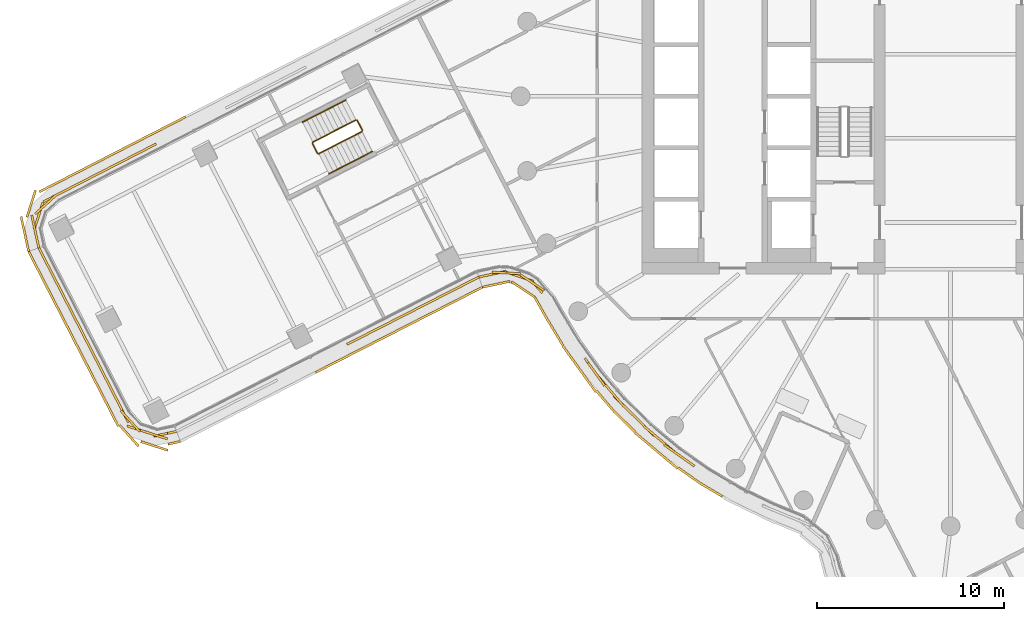
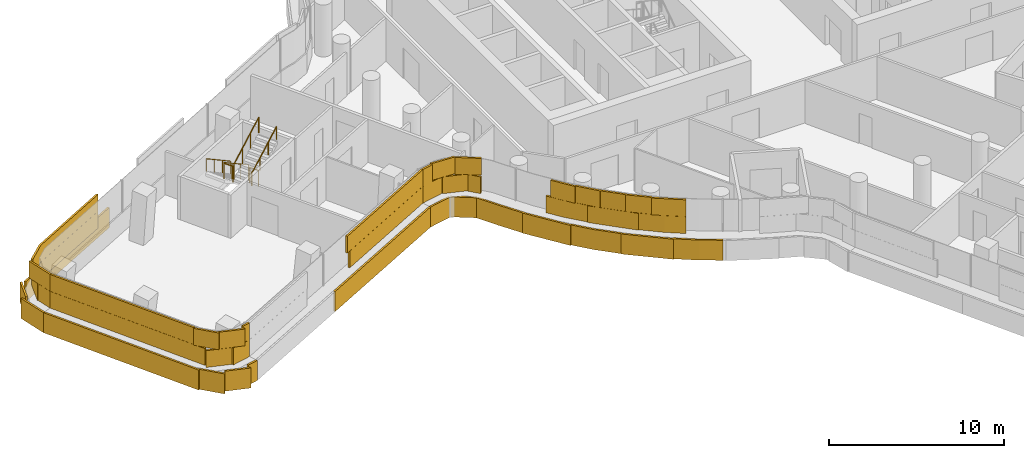
# One storey, part 30 of 37: 6 railings, 4 coverings.
"""IFC4 building model written with IfcOpenShell, lengths in metres."""

from ifc_helpers import new_model, si_unit, direction, frame, origin, origin_2d, place, context, subcontext, project, spatial, rectangle, circle, extrude, material, layer, layer_set, type_object, element, save


model = new_model("IFC4")

# Units and contexts
model_context = context("Model", 3, precision=1e-05, world=origin(), true_north=direction((0.0, 1.0)))
body_context = subcontext(model_context, "Body", "Model", "MODEL_VIEW")
ifc_project = project(units=[si_unit("LENGTHUNIT", "METRE"), si_unit("AREAUNIT", "SQUARE_METRE"), si_unit("VOLUMEUNIT", "CUBIC_METRE"), si_unit("PLANEANGLEUNIT", "RADIAN"), si_unit("MASSUNIT", "GRAM", prefix="KILO")], contexts=[model_context])

# Site, building, storey
site_placement = place(None, origin())
site = spatial("IfcSite", under=ifc_project, at=site_placement, CompositionType="ELEMENT")
building_placement = place(site_placement, origin())
building = spatial("IfcBuilding", under=site, at=building_placement, Name="Tamarind Cross Interchange Tower", CompositionType="ELEMENT")
storey_placement = place(building_placement, frame((0.0, 0.0, 133.0)))
storey = spatial("IfcBuildingStorey", under=building, at=storey_placement, Name="L32", CompositionType="ELEMENT", Elevation=133.0)

# Railings
ifc_material_1 = material(Name="Stair guard")
railing_type_1 = type_object("IfcRailingType", Name="Stair guard", PredefinedType="GUARDRAIL", material=ifc_material_1)
railing_1_placement = place(storey_placement, frame((-31.8037109375, -1.265380859375, 0.17041015625)))
element("IfcRailing", 1, at=railing_1_placement, inside=storey, type_object=railing_type_1, Name="L32 ST5 stair guard 1", PredefinedType="GUARDRAIL", context=body_context, shape_type="SweptSolid", body=[
    extrude(circle(Radius=0.02392578125, at=origin_2d()), frame((0.0, 0.0, 1.076171875), z_axis=(-0.744052093423, -0.381802773427, 0.548281975333), x_axis=(0.456541582309, -0.889702075766, 0.0)), (0.0, 0.0, 1.0), 3.10888671875),
    extrude(circle(Radius=0.02099609375, at=origin_2d()), origin(), (0.0, 0.0, 1.0), 1.052001953125),
    extrude(circle(Radius=0.02099609375, at=origin_2d()), frame((-0.77099609375, -0.395751953125, 0.568115234375)), (0.0, 0.0, 1.0), 1.052001953125),
    extrude(circle(Radius=0.02099609375, at=origin_2d()), frame((-1.542236328125, -0.791259765625, 1.136474609375)), (0.0, 0.0, 1.0), 1.052001953125),
    extrude(circle(Radius=0.02099609375, at=origin_2d()), frame((-2.313232421875, -1.18701171875, 1.70458984375)), (0.0, 0.0, 1.0), 1.052001953125),
])
railing_2_placement = place(storey_placement, frame((-34.138427734375, -2.519775390625, 1.875)))
element("IfcRailing", 2, at=railing_2_placement, inside=storey, type_object=railing_type_1, Name="L32 ST5 stair guard 2", PredefinedType="GUARDRAIL", context=body_context, shape_type="SweptSolid", body=[
    extrude(circle(Radius=0.02392578125, at=origin_2d()), frame((0.0, 0.0, 1.076171875), z_axis=(0.456465311682, -0.889741209134, 0.0), x_axis=(0.889741209134, 0.456465311682, 0.0)), (0.0, 0.0, 1.0), 0.60009765625),
    extrude(circle(Radius=0.02099609375, at=origin_2d()), origin(), (0.0, 0.0, 1.0), 1.052001953125),
    extrude(circle(Radius=0.02099609375, at=origin_2d()), frame((0.27392578125, -0.533935546875, 0.0)), (0.0, 0.0, 1.0), 1.052001953125),
])
railing_3_placement = place(storey_placement, frame((-33.79736328125, -3.0751953125, 2.04541015625)))
element("IfcRailing", 3, at=railing_3_placement, inside=storey, type_object=railing_type_1, Name="L32 ST5 stair guard 3", PredefinedType="GUARDRAIL", context=body_context, shape_type="SweptSolid", body=[
    extrude(circle(Radius=0.02392578125, at=origin_2d()), frame((0.0, 0.0, 1.076171875), z_axis=(0.744052093423, 0.381802773427, 0.548281975333), x_axis=(-0.456541582309, 0.889702075766, 0.0)), (0.0, 0.0, 1.0), 3.10888671875),
    extrude(circle(Radius=0.02099609375, at=origin_2d()), origin(), (0.0, 0.0, 1.0), 1.052001953125),
    extrude(circle(Radius=0.02099609375, at=origin_2d()), frame((0.77099609375, 0.395751953125, 0.568115234375)), (0.0, 0.0, 1.0), 1.052001953125),
    extrude(circle(Radius=0.02099609375, at=origin_2d()), frame((1.542236328125, 0.791259765625, 1.136474609375)), (0.0, 0.0, 1.0), 1.052001953125),
    extrude(circle(Radius=0.02099609375, at=origin_2d()), frame((2.313232421875, 1.18701171875, 1.70458984375)), (0.0, 0.0, 1.0), 1.052001953125),
])
railing_4_placement = place(storey_placement, frame((-31.736328125, -1.287109375, 0.0)))
element("IfcRailing", 4, at=railing_4_placement, inside=storey, type_object=railing_type_1, Name="L32 ST5 stair guard 4", PredefinedType="GUARDRAIL", context=body_context, shape_type="SweptSolid", body=[
    extrude(circle(Radius=0.02392578125, at=origin_2d()), frame((0.0, 0.0, 1.076171875), z_axis=(0.456630592684, -0.889656395371, 0.0), x_axis=(0.889656395371, 0.456630592684, 0.0)), (0.0, 0.0, 1.0), 0.599853515625),
    extrude(circle(Radius=0.02099609375, at=origin_2d()), origin(), (0.0, 0.0, 1.0), 1.052001953125),
    extrude(circle(Radius=0.02099609375, at=origin_2d()), frame((0.27392578125, -0.53369140625, 0.0)), (0.0, 0.0, 1.0), 1.052001953125),
])
ifc_material_2 = material(Name="Stair handrail")
railing_type_2 = type_object("IfcRailingType", Name="Stair handrail", PredefinedType="HANDRAIL", material=ifc_material_2)
railing_5_placement = place(storey_placement, frame((-32.3515625, -0.19775390625, 0.17041015625)))
element("IfcRailing", 5, at=railing_5_placement, inside=storey, type_object=railing_type_2, Name="L32 ST5 stair handrail 1", PredefinedType="HANDRAIL", context=body_context, shape_type="SweptSolid", body=[
    extrude(circle(Radius=0.02392578125, at=origin_2d()), frame((0.0, 0.0, 0.8759765625), z_axis=(-0.744052093423, -0.381802773427, 0.548281975333), x_axis=(0.456541582309, -0.889702075766, 0.0)), (0.0, 0.0, 1.0), 3.10888671875),
    extrude(circle(Radius=0.02099609375, at=origin_2d()), origin(), (0.0, 0.0, 1.0), 0.851806640625),
    extrude(circle(Radius=0.02099609375, at=origin_2d()), frame((-0.77099609375, -0.395751953125, 0.568115234375)), (0.0, 0.0, 1.0), 0.851806640625),
    extrude(circle(Radius=0.02099609375, at=origin_2d()), frame((-1.542236328125, -0.791259765625, 1.136474609375)), (0.0, 0.0, 1.0), 0.851806640625),
    extrude(circle(Radius=0.02099609375, at=origin_2d()), frame((-2.313232421875, -1.18701171875, 1.70458984375)), (0.0, 0.0, 1.0), 0.851806640625),
])
railing_6_placement = place(storey_placement, frame((-33.24951171875, -4.142822265625, 2.04541015625)))
element("IfcRailing", 6, at=railing_6_placement, inside=storey, type_object=railing_type_2, Name="L32 ST5 stair handrail 2", PredefinedType="HANDRAIL", context=body_context, shape_type="SweptSolid", body=[
    extrude(circle(Radius=0.02392578125, at=origin_2d()), frame((0.0, 0.0, 0.8759765625), z_axis=(0.744052093423, 0.381802773427, 0.548281975333), x_axis=(-0.456541582309, 0.889702075766, 0.0)), (0.0, 0.0, 1.0), 3.10888671875),
    extrude(circle(Radius=0.02099609375, at=origin_2d()), origin(), (0.0, 0.0, 1.0), 0.851806640625),
    extrude(circle(Radius=0.02099609375, at=origin_2d()), frame((0.77099609375, 0.395751953125, 0.568115234375)), (0.0, 0.0, 1.0), 0.851806640625),
    extrude(circle(Radius=0.02099609375, at=origin_2d()), frame((1.542236328125, 0.791259765625, 1.136474609375)), (0.0, 0.0, 1.0), 0.851806640625),
    extrude(circle(Radius=0.02099609375, at=origin_2d()), frame((2.313232421875, 1.18701171875, 1.70458984375)), (0.0, 0.0, 1.0), 0.851806640625),
])

# Coverings
ifc_material_3 = material(Name="Terracotta", Category="masonry")
ifc_layer = layer(ifc_material_3, 0.1201171875)
ifc_layer_set = layer_set([ifc_layer], Name="Terracotta")
covering_type = type_object("IfcCoveringType", Name="Terracotta baguette screen unit", PredefinedType="MOLDING", material=ifc_layer_set)
covering_1_placement = place(storey_placement, origin())
element("IfcCovering", 7, at=covering_1_placement, inside=storey, type_object=covering_type, Name="SCR-L32-00-00", PredefinedType="MOLDING", context=body_context, shape_type="SweptSolid", body=[
    extrude(rectangle(XDim=1.510009765625, YDim=0.1201171875, at=origin_2d()), frame((-48.431884765625, -8.7734375, 1.404052734375), z_axis=(0.0, 0.0, 1.0), x_axis=(0.456551422638, -0.889697026233, 0.0)), (0.0, 0.0, 1.0), 1.1669921875),
    extrude(rectangle(XDim=1.52001953125, YDim=0.1201171875, at=origin_2d()), frame((-47.7470703125, -10.10791015625, 1.404052734375), z_axis=(0.0, 0.0, 1.0), x_axis=(0.456551422638, -0.889697026233, 0.0)), (0.0, 0.0, 1.0), 1.1669921875),
    extrude(rectangle(XDim=1.52001953125, YDim=0.1201171875, at=origin_2d()), frame((-47.062255859375, -11.442626953125, 1.404052734375), z_axis=(0.0, 0.0, 1.0), x_axis=(0.456551422638, -0.889697026233, 0.0)), (0.0, 0.0, 1.0), 1.1669921875),
    extrude(rectangle(XDim=1.52001953125, YDim=0.1201171875, at=origin_2d()), frame((-46.37744140625, -12.777099609375, 1.404052734375), z_axis=(0.0, 0.0, 1.0), x_axis=(0.456551422638, -0.889697026233, 0.0)), (0.0, 0.0, 1.0), 1.1669921875),
    extrude(rectangle(XDim=1.52001953125, YDim=0.1201171875, at=origin_2d()), frame((-45.692626953125, -14.111572265625, 1.404052734375), z_axis=(0.0, 0.0, 1.0), x_axis=(0.456551422638, -0.889697026233, 0.0)), (0.0, 0.0, 1.0), 1.1669921875),
    extrude(rectangle(XDim=1.52001953125, YDim=0.1201171875, at=origin_2d()), frame((-45.0078125, -15.446044921875, 1.404052734375), z_axis=(0.0, 0.0, 1.0), x_axis=(0.456551422638, -0.889697026233, 0.0)), (0.0, 0.0, 1.0), 1.1669921875),
    extrude(rectangle(XDim=1.52001953125, YDim=0.1201171875, at=origin_2d()), frame((-44.322998046875, -16.78076171875, 1.404052734375), z_axis=(0.0, 0.0, 1.0), x_axis=(0.456551422638, -0.889697026233, 0.0)), (0.0, 0.0, 1.0), 1.1669921875),
    extrude(rectangle(XDim=1.52001953125, YDim=0.1201171875, at=origin_2d()), frame((-43.331298828125, -17.86572265625, 1.404052734375), z_axis=(0.0, 0.0, 1.0), x_axis=(0.951941407358, -0.306280193543, 0.0)), (0.0, 0.0, 1.0), 1.1669921875),
    extrude(rectangle(XDim=1.259521484375, YDim=0.1201171875, at=origin_2d()), frame((-42.01123046875, -18.05615234375, 1.404052734375), z_axis=(0.0, 0.0, 1.0), x_axis=(0.977545538458, 0.210724275394, 0.0)), (0.0, 0.0, 1.0), 1.1669921875),
    extrude(rectangle(XDim=0.760009765625, YDim=0.1201171875, at=origin_2d()), frame((-48.603271484375, -8.439697265625, 2.5791015625), z_axis=(0.0, 0.0, 1.0), x_axis=(0.456551422638, -0.889697026233, 0.0)), (0.0, 0.0, 1.0), 1.1669921875),
    extrude(rectangle(XDim=1.52001953125, YDim=0.1201171875, at=origin_2d()), frame((-48.089599609375, -9.440673828125, 2.5791015625), z_axis=(0.0, 0.0, 1.0), x_axis=(0.456551422638, -0.889697026233, 0.0)), (0.0, 0.0, 1.0), 1.1669921875),
    extrude(rectangle(XDim=1.52001953125, YDim=0.1201171875, at=origin_2d()), frame((-47.40478515625, -10.775146484375, 2.5791015625), z_axis=(0.0, 0.0, 1.0), x_axis=(0.456551422638, -0.889697026233, 0.0)), (0.0, 0.0, 1.0), 1.1669921875),
    extrude(rectangle(XDim=1.52001953125, YDim=0.1201171875, at=origin_2d()), frame((-46.719970703125, -12.10986328125, 2.5791015625), z_axis=(0.0, 0.0, 1.0), x_axis=(0.456551422638, -0.889697026233, 0.0)), (0.0, 0.0, 1.0), 1.1669921875),
    extrude(rectangle(XDim=1.52001953125, YDim=0.1201171875, at=origin_2d()), frame((-46.03515625, -13.4443359375, 2.5791015625), z_axis=(0.0, 0.0, 1.0), x_axis=(0.456551422638, -0.889697026233, 0.0)), (0.0, 0.0, 1.0), 1.1669921875),
    extrude(rectangle(XDim=1.52001953125, YDim=0.1201171875, at=origin_2d()), frame((-45.350341796875, -14.77880859375, 2.5791015625), z_axis=(0.0, 0.0, 1.0), x_axis=(0.456551422638, -0.889697026233, 0.0)), (0.0, 0.0, 1.0), 1.1669921875),
    extrude(rectangle(XDim=1.52001953125, YDim=0.1201171875, at=origin_2d()), frame((-44.66552734375, -16.113525390625, 2.5791015625), z_axis=(0.0, 0.0, 1.0), x_axis=(0.456551422638, -0.889697026233, 0.0)), (0.0, 0.0, 1.0), 1.1669921875),
    extrude(rectangle(XDim=1.52001953125, YDim=0.1201171875, at=origin_2d()), frame((-43.87841796875, -17.377197265625, 2.5791015625), z_axis=(0.0, 0.0, 1.0), x_axis=(0.671265344915, -0.741217131964, 0.0)), (0.0, 0.0, 1.0), 1.1669921875),
    extrude(rectangle(XDim=1.52001953125, YDim=0.1201171875, at=origin_2d()), frame((-42.617431640625, -18.095458984375, 2.5791015625), z_axis=(0.0, 0.0, 1.0), x_axis=(0.951941407358, -0.306280193543, 0.0)), (0.0, 0.0, 1.0), 1.1669921875),
    extrude(rectangle(XDim=0.509521484375, YDim=0.1201171875, at=origin_2d()), frame((-41.64453125, -17.97705078125, 2.5791015625), z_axis=(0.0, 0.0, 1.0), x_axis=(0.977545538458, 0.210724275394, 0.0)), (0.0, 0.0, 1.0), 1.1669921875),
    extrude(rectangle(XDim=1.510009765625, YDim=0.1201171875, at=origin_2d()), frame((-48.974853515625, -8.97265625, 0.00390625), z_axis=(0.0, 0.0, 1.0), x_axis=(0.456551422638, -0.889697026233, 0.0)), (0.0, 0.0, 1.0), 1.39208984375),
    extrude(rectangle(XDim=1.52001953125, YDim=0.1201171875, at=origin_2d()), frame((-48.292236328125, -10.302734375, 0.00390625), z_axis=(0.0, 0.0, 1.0), x_axis=(0.456551422638, -0.889697026233, 0.0)), (0.0, 0.0, 1.0), 1.39208984375),
    extrude(rectangle(XDim=1.52001953125, YDim=0.1201171875, at=origin_2d()), frame((-47.607421875, -11.637451171875, 0.00390625), z_axis=(0.0, 0.0, 1.0), x_axis=(0.456551422638, -0.889697026233, 0.0)), (0.0, 0.0, 1.0), 1.39208984375),
    extrude(rectangle(XDim=1.52001953125, YDim=0.1201171875, at=origin_2d()), frame((-46.922607421875, -12.971923828125, 0.00390625), z_axis=(0.0, 0.0, 1.0), x_axis=(0.456551422638, -0.889697026233, 0.0)), (0.0, 0.0, 1.0), 1.39208984375),
    extrude(rectangle(XDim=1.52001953125, YDim=0.1201171875, at=origin_2d()), frame((-46.23779296875, -14.306396484375, 0.00390625), z_axis=(0.0, 0.0, 1.0), x_axis=(0.456551422638, -0.889697026233, 0.0)), (0.0, 0.0, 1.0), 1.39208984375),
    extrude(rectangle(XDim=1.52001953125, YDim=0.1201171875, at=origin_2d()), frame((-45.552978515625, -15.640869140625, 0.00390625), z_axis=(0.0, 0.0, 1.0), x_axis=(0.456551422638, -0.889697026233, 0.0)), (0.0, 0.0, 1.0), 1.39208984375),
    extrude(rectangle(XDim=1.52001953125, YDim=0.1201171875, at=origin_2d()), frame((-44.8681640625, -16.9755859375, 0.00390625), z_axis=(0.0, 0.0, 1.0), x_axis=(0.456551422638, -0.889697026233, 0.0)), (0.0, 0.0, 1.0), 1.39208984375),
    extrude(rectangle(XDim=1.52001953125, YDim=0.1201171875, at=origin_2d()), frame((-43.952392578125, -18.150390625, 0.00390625), z_axis=(0.0, 0.0, 1.0), x_axis=(0.671265344915, -0.741217131964, 0.0)), (0.0, 0.0, 1.0), 1.39208984375),
    extrude(rectangle(XDim=1.52001953125, YDim=0.1201171875, at=origin_2d()), frame((-42.587890625, -18.7080078125, 0.00390625), z_axis=(0.0, 0.0, 1.0), x_axis=(0.951941407358, -0.306280193543, 0.0)), (0.0, 0.0, 1.0), 1.39208984375),
    extrude(rectangle(XDim=0.676513671875, YDim=0.1201171875, at=origin_2d()), frame((-41.536865234375, -18.541015625, 0.00390625), z_axis=(0.0, 0.0, 1.0), x_axis=(0.977545538458, 0.210724275394, 0.0)), (0.0, 0.0, 1.0), 1.39208984375),
])
covering_2_placement = place(storey_placement, origin())
element("IfcCovering", 8, at=covering_2_placement, inside=storey, type_object=covering_type, Name="SCR-L32-01-01", PredefinedType="MOLDING", context=body_context, shape_type="SweptSolid", body=[
    extrude(rectangle(XDim=1.52001953125, YDim=0.1201171875, at=origin_2d()), frame((-31.381591796875, -12.807373046875, 1.404052734375), z_axis=(0.0, 0.0, 1.0), x_axis=(0.890569845562, 0.454846512766, 0.0)), (0.0, 0.0, 1.0), 1.1669921875),
    extrude(rectangle(XDim=1.52001953125, YDim=0.1201171875, at=origin_2d()), frame((-30.045654296875, -12.125, 1.404052734375), z_axis=(0.0, 0.0, 1.0), x_axis=(0.890569845562, 0.454846512766, 0.0)), (0.0, 0.0, 1.0), 1.1669921875),
    extrude(rectangle(XDim=1.52001953125, YDim=0.1201171875, at=origin_2d()), frame((-28.709716796875, -11.44287109375, 1.404052734375), z_axis=(0.0, 0.0, 1.0), x_axis=(0.890569845562, 0.454846512766, 0.0)), (0.0, 0.0, 1.0), 1.1669921875),
    extrude(rectangle(XDim=1.52001953125, YDim=0.1201171875, at=origin_2d()), frame((-27.3740234375, -10.760498046875, 1.404052734375), z_axis=(0.0, 0.0, 1.0), x_axis=(0.890569845562, 0.454846512766, 0.0)), (0.0, 0.0, 1.0), 1.1669921875),
    extrude(rectangle(XDim=1.52001953125, YDim=0.1201171875, at=origin_2d()), frame((-26.0380859375, -10.078369140625, 1.404052734375), z_axis=(0.0, 0.0, 1.0), x_axis=(0.890569845562, 0.454846512766, 0.0)), (0.0, 0.0, 1.0), 1.1669921875),
    extrude(rectangle(XDim=0.159423828125, YDim=0.1201171875, at=origin_2d()), frame((-25.303466796875, -9.703125, 1.404052734375), z_axis=(0.0, 0.0, 1.0), x_axis=(0.890569845562, 0.454846512766, 0.0)), (0.0, 0.0, 1.0), 1.1669921875),
    extrude(rectangle(XDim=1.028076171875, YDim=0.1201171875, at=origin_2d()), frame((-31.834716796875, -13.038818359375, 2.5791015625), z_axis=(0.0, 0.0, 1.0), x_axis=(0.890569845562, 0.454846512766, 0.0)), (0.0, 0.0, 1.0), 1.1669921875),
    extrude(rectangle(XDim=1.52001953125, YDim=0.1201171875, at=origin_2d()), frame((-30.713623046875, -12.46630859375, 2.5791015625), z_axis=(0.0, 0.0, 1.0), x_axis=(0.890569845562, 0.454846512766, 0.0)), (0.0, 0.0, 1.0), 1.1669921875),
    extrude(rectangle(XDim=1.52001953125, YDim=0.1201171875, at=origin_2d()), frame((-29.377685546875, -11.783935546875, 2.5791015625), z_axis=(0.0, 0.0, 1.0), x_axis=(0.890569845562, 0.454846512766, 0.0)), (0.0, 0.0, 1.0), 1.1669921875),
    extrude(rectangle(XDim=1.52001953125, YDim=0.1201171875, at=origin_2d()), frame((-28.041748046875, -11.1015625, 2.5791015625), z_axis=(0.0, 0.0, 1.0), x_axis=(0.890569845562, 0.454846512766, 0.0)), (0.0, 0.0, 1.0), 1.1669921875),
    extrude(rectangle(XDim=1.52001953125, YDim=0.1201171875, at=origin_2d()), frame((-26.7060546875, -10.41943359375, 2.5791015625), z_axis=(0.0, 0.0, 1.0), x_axis=(0.890569845562, 0.454846512766, 0.0)), (0.0, 0.0, 1.0), 1.1669921875),
    extrude(rectangle(XDim=0.909423828125, YDim=0.1201171875, at=origin_2d()), frame((-25.637451171875, -9.873779296875, 2.5791015625), z_axis=(0.0, 0.0, 1.0), x_axis=(0.890569845562, 0.454846512766, 0.0)), (0.0, 0.0, 1.0), 1.1669921875),
    extrude(rectangle(XDim=0.87841796875, YDim=0.1201171875, at=origin_2d()), frame((-33.5732421875, -14.5712890625, 0.00390625), z_axis=(0.0, 0.0, 1.0), x_axis=(0.890569845562, 0.454846512766, 0.0)), (0.0, 0.0, 1.0), 1.39208984375),
    extrude(rectangle(XDim=1.52001953125, YDim=0.1201171875, at=origin_2d()), frame((-32.523193359375, -14.034912109375, 0.00390625), z_axis=(0.0, 0.0, 1.0), x_axis=(0.890569845562, 0.454846512766, 0.0)), (0.0, 0.0, 1.0), 1.39208984375),
    extrude(rectangle(XDim=1.52001953125, YDim=0.1201171875, at=origin_2d()), frame((-31.187255859375, -13.3525390625, 0.00390625), z_axis=(0.0, 0.0, 1.0), x_axis=(0.890569845562, 0.454846512766, 0.0)), (0.0, 0.0, 1.0), 1.39208984375),
    extrude(rectangle(XDim=1.52001953125, YDim=0.1201171875, at=origin_2d()), frame((-29.851318359375, -12.67041015625, 0.00390625), z_axis=(0.0, 0.0, 1.0), x_axis=(0.890569845562, 0.454846512766, 0.0)), (0.0, 0.0, 1.0), 1.39208984375),
    extrude(rectangle(XDim=1.52001953125, YDim=0.1201171875, at=origin_2d()), frame((-28.515625, -11.988037109375, 0.00390625), z_axis=(0.0, 0.0, 1.0), x_axis=(0.890569845562, 0.454846512766, 0.0)), (0.0, 0.0, 1.0), 1.39208984375),
    extrude(rectangle(XDim=1.52001953125, YDim=0.1201171875, at=origin_2d()), frame((-27.1796875, -11.305908203125, 0.00390625), z_axis=(0.0, 0.0, 1.0), x_axis=(0.890569845562, 0.454846512766, 0.0)), (0.0, 0.0, 1.0), 1.39208984375),
    extrude(rectangle(XDim=1.52001953125, YDim=0.1201171875, at=origin_2d()), frame((-25.84375, -10.62353515625, 0.00390625), z_axis=(0.0, 0.0, 1.0), x_axis=(0.890569845562, 0.454846512766, 0.0)), (0.0, 0.0, 1.0), 1.39208984375),
    extrude(rectangle(XDim=0.15869140625, YDim=0.1201171875, at=origin_2d()), frame((-25.1142578125, -10.2509765625, 0.00390625), z_axis=(0.0, 0.0, 1.0), x_axis=(0.890569845562, 0.454846512766, 0.0)), (0.0, 0.0, 1.0), 1.39208984375),
])
covering_3_placement = place(storey_placement, origin())
element("IfcCovering", 9, at=covering_3_placement, inside=storey, type_object=covering_type, Name="SCR-L32-02-00", PredefinedType="MOLDING", context=body_context, shape_type="SweptSolid", body=[
    extrude(rectangle(XDim=1.510009765625, YDim=0.1201171875, at=origin_2d()), frame((-24.50341796875, -9.513427734375, 1.404052734375), z_axis=(0.0, 0.0, 1.0), x_axis=(0.97822214981, 0.207560655283, 0.0)), (0.0, 0.0, 1.0), 1.1669921875),
    extrude(rectangle(XDim=1.52001953125, YDim=0.1201171875, at=origin_2d()), frame((-23.0439453125, -9.65087890625, 1.404052734375), z_axis=(0.0, 0.0, 1.0), x_axis=(0.948924016949, -0.315504691022, 0.0)), (0.0, 0.0, 1.0), 1.1669921875),
    extrude(rectangle(XDim=0.767822265625, YDim=0.1201171875, at=origin_2d()), frame((-22.097412109375, -10.226318359375, 1.404052734375), z_axis=(0.0, 0.0, 1.0), x_axis=(0.659188243571, -0.751977964795, 0.0)), (0.0, 0.0, 1.0), 1.1669921875),
    extrude(rectangle(XDim=1.052001953125, YDim=0.1201171875, at=origin_2d()), frame((-19.254150390625, -14.4443359375, 1.404052734375), z_axis=(0.0, 0.0, 1.0), x_axis=(0.584573890505, -0.811340475102, 0.0)), (0.0, 0.0, 1.0), 1.1669921875),
    extrude(rectangle(XDim=1.52001953125, YDim=0.1201171875, at=origin_2d()), frame((-18.463134765625, -15.437744140625, 1.404052734375), z_axis=(0.0, 0.0, 1.0), x_axis=(0.64957723968, -0.760295606781, 0.0)), (0.0, 0.0, 1.0), 1.1669921875),
    extrude(rectangle(XDim=1.52001953125, YDim=0.1201171875, at=origin_2d()), frame((-17.4736328125, -16.564208984375, 1.404052734375), z_axis=(0.0, 0.0, 1.0), x_axis=(0.710143317658, -0.704057148523, 0.0)), (0.0, 0.0, 1.0), 1.1669921875),
    extrude(rectangle(XDim=1.52001953125, YDim=0.1201171875, at=origin_2d()), frame((-16.408447265625, -17.620361328125, 1.404052734375), z_axis=(0.0, 0.0, 1.0), x_axis=(0.710143317658, -0.704057148523, 0.0)), (0.0, 0.0, 1.0), 1.1669921875),
    extrude(rectangle(XDim=1.52001953125, YDim=0.1201171875, at=origin_2d()), frame((-15.273193359375, -18.599609375, 1.404052734375), z_axis=(0.0, 0.0, 1.0), x_axis=(0.765858396687, -0.643009266048, 0.0)), (0.0, 0.0, 1.0), 1.1669921875),
    extrude(rectangle(XDim=1.228759765625, YDim=0.1201171875, at=origin_2d()), frame((-14.200439453125, -19.4326171875, 1.404052734375), z_axis=(0.0, 0.0, 1.0), x_axis=(0.816341886298, -0.577568978284, 0.0)), (0.0, 0.0, 1.0), 1.1669921875),
    extrude(rectangle(XDim=0.760009765625, YDim=0.1201171875, at=origin_2d()), frame((-24.8701171875, -9.59130859375, 2.5791015625), z_axis=(0.0, 0.0, 1.0), x_axis=(0.97822214981, 0.207560655283, 0.0)), (0.0, 0.0, 1.0), 1.1669921875),
    extrude(rectangle(XDim=1.52001953125, YDim=0.1201171875, at=origin_2d()), frame((-23.762451171875, -9.450439453125, 2.5791015625), z_axis=(0.0, 0.0, 1.0), x_axis=(0.99843498844, -0.055924715996, 0.0)), (0.0, 0.0, 1.0), 1.1669921875),
    extrude(rectangle(XDim=1.52001953125, YDim=0.1201171875, at=origin_2d()), frame((-22.372314453125, -9.969970703125, 2.5791015625), z_axis=(0.0, 0.0, 1.0), x_axis=(0.833146739955, -0.553051995479, 0.0)), (0.0, 0.0, 1.0), 1.1669921875),
    extrude(rectangle(XDim=1.52001953125, YDim=0.1201171875, at=origin_2d()), frame((-18.949462890625, -14.866943359375, 2.5791015625), z_axis=(0.0, 0.0, 1.0), x_axis=(0.584573890505, -0.811340475102, 0.0)), (0.0, 0.0, 1.0), 1.1669921875),
    extrude(rectangle(XDim=1.52001953125, YDim=0.1201171875, at=origin_2d()), frame((-17.975830078125, -16.008056640625, 2.5791015625), z_axis=(0.0, 0.0, 1.0), x_axis=(0.64957723968, -0.760295606781, 0.0)), (0.0, 0.0, 1.0), 1.1669921875),
    extrude(rectangle(XDim=1.52001953125, YDim=0.1201171875, at=origin_2d()), frame((-16.941162109375, -17.09228515625, 2.5791015625), z_axis=(0.0, 0.0, 1.0), x_axis=(0.710143317658, -0.704057148523, 0.0)), (0.0, 0.0, 1.0), 1.1669921875),
    extrude(rectangle(XDim=1.52001953125, YDim=0.1201171875, at=origin_2d()), frame((-15.847412109375, -18.117431640625, 2.5791015625), z_axis=(0.0, 0.0, 1.0), x_axis=(0.765858396687, -0.643009266048, 0.0)), (0.0, 0.0, 1.0), 1.1669921875),
    extrude(rectangle(XDim=1.52001953125, YDim=0.1201171875, at=origin_2d()), frame((-14.69775390625, -19.080810546875, 2.5791015625), z_axis=(0.0, 0.0, 1.0), x_axis=(0.816341886298, -0.577568978284, 0.0)), (0.0, 0.0, 1.0), 1.1669921875),
    extrude(rectangle(XDim=0.478759765625, YDim=0.1201171875, at=origin_2d()), frame((-13.894287109375, -19.649169921875, 2.5791015625), z_axis=(0.0, 0.0, 1.0), x_axis=(0.816341886298, -0.577568978284, 0.0)), (0.0, 0.0, 1.0), 1.1669921875),
    extrude(rectangle(XDim=1.510009765625, YDim=0.1201171875, at=origin_2d()), frame((-24.304931640625, -10.05810546875, 0.00390625), z_axis=(0.0, 0.0, 1.0), x_axis=(0.97822214981, 0.207560655283, 0.0)), (0.0, 0.0, 1.0), 1.39208984375),
    extrude(rectangle(XDim=1.52001953125, YDim=0.1201171875, at=origin_2d()), frame((-22.868896484375, -10.329345703125, 0.00390625), z_axis=(0.0, 0.0, 1.0), x_axis=(0.833146739955, -0.553051995479, 0.0)), (0.0, 0.0, 1.0), 1.39208984375),
    extrude(rectangle(XDim=1.52001953125, YDim=0.1201171875, at=origin_2d()), frame((-21.865234375, -11.42529296875, 0.00390625), z_axis=(0.0, 0.0, 1.0), x_axis=(0.490699941818, -0.871328621761, 0.0)), (0.0, 0.0, 1.0), 1.39208984375),
    extrude(rectangle(XDim=1.52001953125, YDim=0.1201171875, at=origin_2d()), frame((-21.103759765625, -12.717529296875, 0.00390625), z_axis=(0.0, 0.0, 1.0), x_axis=(0.515577308909, -0.856843065292, 0.0)), (0.0, 0.0, 1.0), 1.39208984375),
    extrude(rectangle(XDim=1.52001953125, YDim=0.1201171875, at=origin_2d()), frame((-20.296142578125, -13.97998046875, 0.00390625), z_axis=(0.0, 0.0, 1.0), x_axis=(0.584573890505, -0.811340475102, 0.0)), (0.0, 0.0, 1.0), 1.39208984375),
    extrude(rectangle(XDim=1.52001953125, YDim=0.1201171875, at=origin_2d()), frame((-19.419189453125, -15.197021484375, 0.00390625), z_axis=(0.0, 0.0, 1.0), x_axis=(0.584573890505, -0.811340475102, 0.0)), (0.0, 0.0, 1.0), 1.39208984375),
    extrude(rectangle(XDim=1.52001953125, YDim=0.1201171875, at=origin_2d()), frame((-18.447509765625, -16.339599609375, 0.00390625), z_axis=(0.0, 0.0, 1.0), x_axis=(0.64957723968, -0.760295606781, 0.0)), (0.0, 0.0, 1.0), 1.39208984375),
    extrude(rectangle(XDim=1.52001953125, YDim=0.1201171875, at=origin_2d()), frame((-17.41748046875, -17.42822265625, 0.00390625), z_axis=(0.0, 0.0, 1.0), x_axis=(0.710143317658, -0.704057148523, 0.0)), (0.0, 0.0, 1.0), 1.39208984375),
    extrude(rectangle(XDim=1.52001953125, YDim=0.1201171875, at=origin_2d()), frame((-16.330810546875, -18.4609375, 0.00390625), z_axis=(0.0, 0.0, 1.0), x_axis=(0.765858396687, -0.643009266048, 0.0)), (0.0, 0.0, 1.0), 1.39208984375),
    extrude(rectangle(XDim=1.52001953125, YDim=0.1201171875, at=origin_2d()), frame((-15.18212890625, -19.425537109375, 0.00390625), z_axis=(0.0, 0.0, 1.0), x_axis=(0.765858396687, -0.643009266048, 0.0)), (0.0, 0.0, 1.0), 1.39208984375),
    extrude(rectangle(XDim=1.52001953125, YDim=0.1201171875, at=origin_2d()), frame((-13.965576171875, -20.302001953125, 0.00390625), z_axis=(0.0, 0.0, 1.0), x_axis=(0.816341886298, -0.577568978284, 0.0)), (0.0, 0.0, 1.0), 1.39208984375),
    extrude(rectangle(XDim=1.331298828125, YDim=0.1201171875, at=origin_2d()), frame((-12.7861328125, -21.064453125, 0.00390625), z_axis=(0.0, 0.0, 1.0), x_axis=(0.861248933065, -0.508183308752, 0.0)), (0.0, 0.0, 1.0), 1.39208984375),
])
covering_4_placement = place(storey_placement, origin())
element("IfcCovering", 10, at=covering_4_placement, inside=storey, type_object=covering_type, Name="SCR-L32-15-02", PredefinedType="MOLDING", context=body_context, shape_type="SweptSolid", body=[
    extrude(rectangle(XDim=0.75634765625, YDim=0.1201171875, at=origin_2d()), frame((-42.83447265625, -2.72216796875, 1.404052734375), z_axis=(0.0, 0.0, 1.0), x_axis=(-0.889697026233, -0.456551422638, 0.0)), (0.0, 0.0, 1.0), 1.1669921875),
    extrude(rectangle(XDim=1.52001953125, YDim=0.1201171875, at=origin_2d()), frame((-43.833740234375, -3.235107421875, 1.404052734375), z_axis=(0.0, 0.0, 1.0), x_axis=(-0.889697026233, -0.456551422638, 0.0)), (0.0, 0.0, 1.0), 1.1669921875),
    extrude(rectangle(XDim=1.52001953125, YDim=0.1201171875, at=origin_2d()), frame((-45.168212890625, -3.919921875, 1.404052734375), z_axis=(0.0, 0.0, 1.0), x_axis=(-0.889697026233, -0.456551422638, 0.0)), (0.0, 0.0, 1.0), 1.1669921875),
    extrude(rectangle(XDim=1.52001953125, YDim=0.1201171875, at=origin_2d()), frame((-46.5029296875, -4.604736328125, 1.404052734375), z_axis=(0.0, 0.0, 1.0), x_axis=(-0.889697026233, -0.456551422638, 0.0)), (0.0, 0.0, 1.0), 1.1669921875),
    extrude(rectangle(XDim=1.52001953125, YDim=0.1201171875, at=origin_2d()), frame((-47.83740234375, -5.28955078125, 1.404052734375), z_axis=(0.0, 0.0, 1.0), x_axis=(-0.889697026233, -0.456551422638, 0.0)), (0.0, 0.0, 1.0), 1.1669921875),
    extrude(rectangle(XDim=1.52001953125, YDim=0.1201171875, at=origin_2d()), frame((-48.786865234375, -6.396240234375, 1.404052734375), z_axis=(0.0, 0.0, 1.0), x_axis=(-0.306280193543, -0.951941407358, 0.0)), (0.0, 0.0, 1.0), 1.1669921875),
    extrude(rectangle(XDim=1.02734375, YDim=0.1201171875, at=origin_2d()), frame((-48.881591796875, -7.60888671875, 1.404052734375), z_axis=(0.0, 0.0, 1.0), x_axis=(0.210724275394, -0.977545538458, 0.0)), (0.0, 0.0, 1.0), 1.1669921875),
    extrude(rectangle(XDim=1.50634765625, YDim=0.1201171875, at=origin_2d()), frame((-43.16796875, -2.8935546875, 2.5791015625), z_axis=(0.0, 0.0, 1.0), x_axis=(-0.889697026233, -0.456551422638, 0.0)), (0.0, 0.0, 1.0), 1.1669921875),
    extrude(rectangle(XDim=1.52001953125, YDim=0.1201171875, at=origin_2d()), frame((-44.5009765625, -3.577392578125, 2.5791015625), z_axis=(0.0, 0.0, 1.0), x_axis=(-0.889697026233, -0.456551422638, 0.0)), (0.0, 0.0, 1.0), 1.1669921875),
    extrude(rectangle(XDim=1.52001953125, YDim=0.1201171875, at=origin_2d()), frame((-45.83544921875, -4.26220703125, 2.5791015625), z_axis=(0.0, 0.0, 1.0), x_axis=(-0.889697026233, -0.456551422638, 0.0)), (0.0, 0.0, 1.0), 1.1669921875),
    extrude(rectangle(XDim=1.52001953125, YDim=0.1201171875, at=origin_2d()), frame((-47.170166015625, -4.947021484375, 2.5791015625), z_axis=(0.0, 0.0, 1.0), x_axis=(-0.889697026233, -0.456551422638, 0.0)), (0.0, 0.0, 1.0), 1.1669921875),
    extrude(rectangle(XDim=1.52001953125, YDim=0.1201171875, at=origin_2d()), frame((-48.3994140625, -5.7841796875, 2.5791015625), z_axis=(0.0, 0.0, 1.0), x_axis=(-0.741217131964, -0.671265344915, 0.0)), (0.0, 0.0, 1.0), 1.1669921875),
    extrude(rectangle(XDim=1.52001953125, YDim=0.1201171875, at=origin_2d()), frame((-48.98876953125, -7.111572265625, 2.5791015625), z_axis=(0.0, 0.0, 1.0), x_axis=(0.210724275394, -0.977545538458, 0.0)), (0.0, 0.0, 1.0), 1.1669921875),
    extrude(rectangle(XDim=0.27734375, YDim=0.1201171875, at=origin_2d()), frame((-48.802490234375, -7.975341796875, 2.5791015625), z_axis=(0.0, 0.0, 1.0), x_axis=(0.210724275394, -0.977545538458, 0.0)), (0.0, 0.0, 1.0), 1.1669921875),
    extrude(rectangle(XDim=1.2802734375, YDim=0.1201171875, at=origin_2d()), frame((-41.499755859375, -1.392333984375, 0.00390625), z_axis=(0.0, 0.0, 1.0), x_axis=(-0.889697026233, -0.456551422638, 0.0)), (0.0, 0.0, 1.0), 1.39208984375),
    extrude(rectangle(XDim=1.52001953125, YDim=0.1201171875, at=origin_2d()), frame((-42.727783203125, -2.0224609375, 0.00390625), z_axis=(0.0, 0.0, 1.0), x_axis=(-0.889697026233, -0.456551422638, 0.0)), (0.0, 0.0, 1.0), 1.39208984375),
    extrude(rectangle(XDim=1.52001953125, YDim=0.1201171875, at=origin_2d()), frame((-44.062255859375, -2.707275390625, 0.00390625), z_axis=(0.0, 0.0, 1.0), x_axis=(-0.889697026233, -0.456551422638, 0.0)), (0.0, 0.0, 1.0), 1.39208984375),
    extrude(rectangle(XDim=1.52001953125, YDim=0.1201171875, at=origin_2d()), frame((-45.39697265625, -3.39208984375, 0.00390625), z_axis=(0.0, 0.0, 1.0), x_axis=(-0.889697026233, -0.456551422638, 0.0)), (0.0, 0.0, 1.0), 1.39208984375),
    extrude(rectangle(XDim=1.52001953125, YDim=0.1201171875, at=origin_2d()), frame((-46.7314453125, -4.076904296875, 0.00390625), z_axis=(0.0, 0.0, 1.0), x_axis=(-0.889697026233, -0.456551422638, 0.0)), (0.0, 0.0, 1.0), 1.39208984375),
    extrude(rectangle(XDim=1.52001953125, YDim=0.1201171875, at=origin_2d()), frame((-48.06591796875, -4.76171875, 0.00390625), z_axis=(0.0, 0.0, 1.0), x_axis=(-0.889697026233, -0.456551422638, 0.0)), (0.0, 0.0, 1.0), 1.39208984375),
    extrude(rectangle(XDim=1.52001953125, YDim=0.1201171875, at=origin_2d()), frame((-49.18115234375, -5.748046875, 0.00390625), z_axis=(0.0, 0.0, 1.0), x_axis=(-0.306280193543, -0.951941407358, 0.0)), (0.0, 0.0, 1.0), 1.39208984375),
    extrude(rectangle(XDim=1.52001953125, YDim=0.1201171875, at=origin_2d()), frame((-49.561279296875, -7.1796875, 0.00390625), z_axis=(0.0, 0.0, 1.0), x_axis=(0.210724275394, -0.977545538458, 0.0)), (0.0, 0.0, 1.0), 1.39208984375),
    extrude(rectangle(XDim=0.406982421875, YDim=0.1201171875, at=origin_2d()), frame((-49.362548828125, -8.10205078125, 0.00390625), z_axis=(0.0, 0.0, 1.0), x_axis=(0.210724275394, -0.977545538458, 0.0)), (0.0, 0.0, 1.0), 1.39208984375),
])

save(model, "model.ifc")
